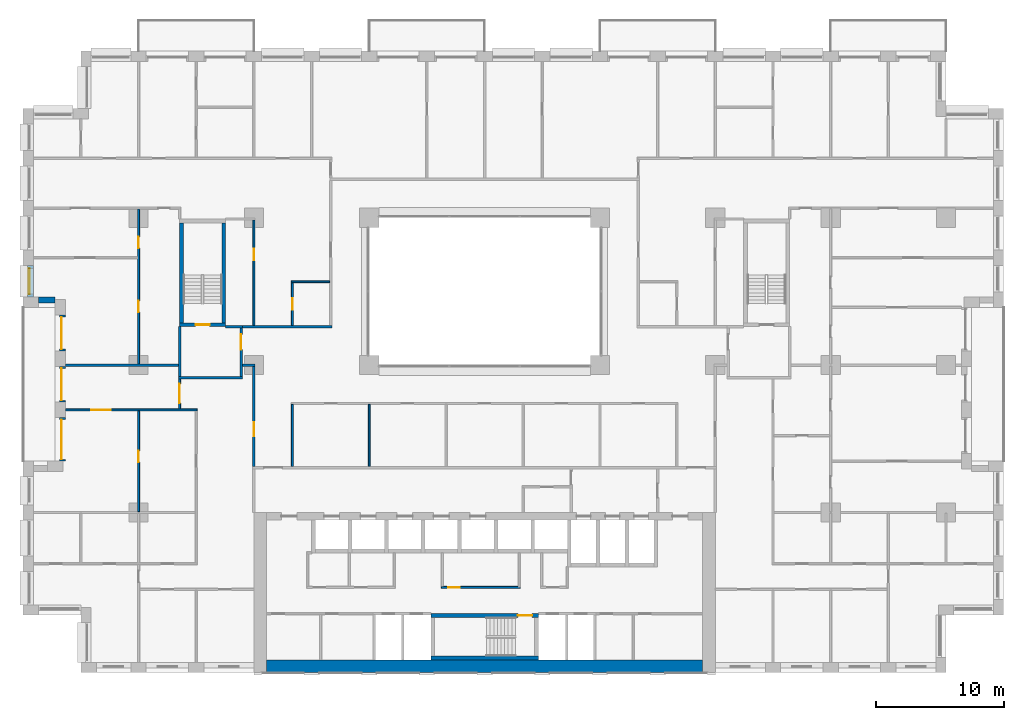
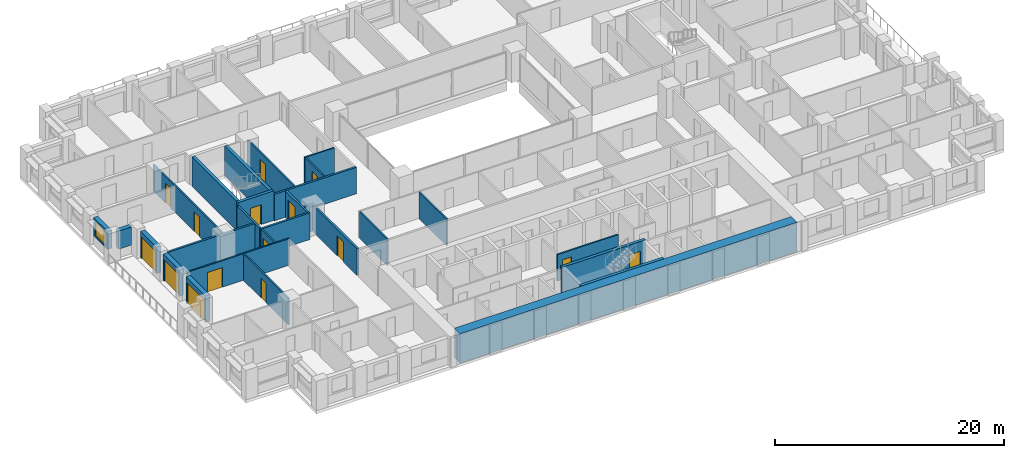
# One storey, part 10 of 19: 29 walls, 15 doors, 1 window, 16 openings.
"""IFC4 building model written with IfcOpenShell, lengths in metres."""

from ifc_helpers import new_model, si_unit, direction, frame, frame_2d, origin, place, context, subcontext, project, spatial, rectangle, extrude, material, layer, layer_set, type_object, element, fill, save


model = new_model("IFC4")

# Units and contexts
model_context = context("Model", 3, precision=1e-05, world=origin(), true_north=direction((0.0, 1.0)))
body_context = subcontext(model_context, "Body", "Model", "MODEL_VIEW")
ifc_project = project(units=[si_unit("LENGTHUNIT", "METRE"), si_unit("AREAUNIT", "SQUARE_METRE"), si_unit("VOLUMEUNIT", "CUBIC_METRE"), si_unit("PLANEANGLEUNIT", "RADIAN"), si_unit("MASSUNIT", "GRAM", prefix="KILO")], contexts=[model_context])

# Site, building, storey
site_placement = place(None, origin())
site = spatial("IfcSite", under=ifc_project, at=site_placement, CompositionType="ELEMENT")
building_placement = place(site_placement, origin())
building = spatial("IfcBuilding", under=site, at=building_placement, Name="Brigalow Station Residences", CompositionType="ELEMENT")
storey_placement = place(building_placement, frame((0.0, 0.0, 22.64990234375)))
storey = spatial("IfcBuildingStorey", under=building, at=storey_placement, Name="L05", CompositionType="ELEMENT", Elevation=22.64990234375)

# Wall, opening, window
ifc_material_1 = material(Name="Clay brick masonry", Category="masonry")
ifc_layer_1 = layer(ifc_material_1, 0.449951171875)
ifc_layer_set_1 = layer_set([ifc_layer_1], Name="BRICK INFILL WALL 450")
wall_type_1 = type_object("IfcWallType", Name="BRICK INFILL WALL 450", PredefinedType="SOLIDWALL", material=ifc_layer_set_1)
wall_1_placement = place(storey_placement, frame((0.574951171875, 31.77490234375, 0.900146484375), z_axis=(0.0, 0.0, 1.0), x_axis=(0.0, -1.0, 0.0)))
wall_1 = element("IfcWall", 1, at=wall_1_placement, inside=storey, type_object=wall_type_1, Name="L05/ewall/W-L05-45", PredefinedType="SOLIDWALL", context=body_context, shape_type="SweptSolid", body=[
    extrude(rectangle(XDim=2.474853515625, YDim=0.449951171875, at=frame_2d((1.2373046875, 0.0))), origin(), (0.0, 0.0, 1.0), 1.929931640625),
])
opening_1_placement = place(wall_1_placement, frame((0.237548828125, 0.0, 0.14990234375)))
opening_1 = element("IfcOpeningElement", 2, at=opening_1_placement, cuts=wall_1, Name="Opening WT-7", PredefinedType="OPENING", context=body_context, shape_type="SweptSolid", body=[
    extrude(rectangle(XDim=2.0, YDim=1.5, at=frame_2d((1.0, 0.75))), frame((0.0, 0.23486328125, 0.0), z_axis=(0.0, -1.0, 0.0), x_axis=(1.0, 0.0, 0.0)), (0.0, 0.0, 1.0), 0.469970703125),
])
ifc_material_2 = material(Name="Anodised aluminium frame with double glazing", Category="aluminium")
window_type = type_object("IfcWindowType", Name="WINDOW 2000x1500", PartitioningType="SINGLE_PANEL", PredefinedType="WINDOW", material=ifc_material_2)
window_placement = place(opening_1_placement, origin())
window = element("IfcWindow", 3, at=window_placement, inside=storey, type_object=window_type, Name="L05/window/W-L05-45", OverallHeight=1.5, OverallWidth=2.0, PartitioningType="SINGLE_PANEL", PredefinedType="WINDOW", context=body_context, shape_type="SweptSolid", body=[
    extrude(rectangle(XDim=2.0, YDim=1.5, at=frame_2d((1.0, 0.75))), frame((0.0, -0.06494140625, 0.0), z_axis=(0.0, -1.0, 0.0), x_axis=(1.0, 0.0, 0.0)), (0.0, 0.0, 1.0), 0.06005859375),
])
fill(opening_1, window)

# Wall
wall_2_placement = place(storey_placement, frame((1.199951171875, 29.074951171875, 0.900146484375), z_axis=(0.0, 0.0, 1.0), x_axis=(1.0, 0.0, 0.0)))
element("IfcWall", 4, at=wall_2_placement, inside=storey, type_object=wall_type_1, Name="L05/ewall/W-L05-46", PredefinedType="SOLIDWALL", context=body_context, shape_type="SweptSolid", body=[
    extrude(rectangle(XDim=1.300048828125, YDim=0.449951171875, at=frame_2d((0.64990234375, 0.0))), origin(), (0.0, 0.0, 1.0), 1.929931640625),
])

# Wall, opening, door
wall_3_placement = place(storey_placement, frame((3.074951171875, 27.89990234375, 0.0), z_axis=(0.0, 0.0, 1.0), x_axis=(0.0, -1.0, 0.0)))
wall_3 = element("IfcWall", 5, at=wall_3_placement, inside=storey, type_object=wall_type_1, Name="L05/ewall/W-L05-47", PredefinedType="SOLIDWALL", context=body_context, shape_type="SweptSolid", body=[
    extrude(rectangle(XDim=2.7998046875, YDim=0.449951171875, at=frame_2d((1.39990234375, 0.0))), origin(), (0.0, 0.0, 1.0), 2.830078125),
])
opening_2_placement = place(wall_3_placement, frame((0.14990234375, 0.0, 0.0)))
opening_2 = element("IfcOpeningElement", 6, at=opening_2_placement, cuts=wall_3, Name="Opening D-B2500", PredefinedType="OPENING", context=body_context, shape_type="SweptSolid", body=[
    extrude(rectangle(XDim=2.5, YDim=2.300048828125, at=frame_2d((1.25, 1.14990234375))), frame((0.0, 0.23486328125, 0.0), z_axis=(0.0, -1.0, 0.0), x_axis=(1.0, 0.0, 0.0)), (0.0, 0.0, 1.0), 0.469970703125),
])
ifc_material_3 = material(Name="Anodised aluminium frame with double glazing", Category="aluminium")
door_type_1 = type_object("IfcDoorType", Name="BALCONY SLIDING DOOR 2500x2300", OperationType="SLIDING_TO_LEFT", PredefinedType="DOOR", material=ifc_material_3)
door_1_placement = place(opening_2_placement, origin())
door_1 = element("IfcDoor", 7, at=door_1_placement, inside=storey, type_object=door_type_1, Name="L05/balcony-door/W-L05-47", OperationType="SLIDING_TO_LEFT", OverallHeight=2.300048828125, OverallWidth=2.5, PredefinedType="DOOR", context=body_context, shape_type="SweptSolid", body=[
    extrude(rectangle(XDim=2.5, YDim=2.300048828125, at=frame_2d((1.25, 1.14990234375))), frame((0.0, -0.06982421875, 0.0), z_axis=(0.0, -1.0, 0.0), x_axis=(1.0, 0.0, 0.0)), (0.0, 0.0, 1.0), 0.050048828125),
])
fill(opening_2, door_1)

wall_4_placement = place(storey_placement, frame((3.074951171875, 23.89990234375, 0.0), z_axis=(0.0, 0.0, 1.0), x_axis=(0.0, -1.0, 0.0)))
wall_4 = element("IfcWall", 8, at=wall_4_placement, inside=storey, type_object=wall_type_1, Name="L05/ewall/W-L05-48", PredefinedType="SOLIDWALL", context=body_context, shape_type="SweptSolid", body=[
    extrude(rectangle(XDim=2.7998046875, YDim=0.449951171875, at=frame_2d((1.39990234375, 0.0))), origin(), (0.0, 0.0, 1.0), 2.830078125),
])
opening_3_placement = place(wall_4_placement, frame((0.14990234375, 0.0, 0.0)))
opening_3 = element("IfcOpeningElement", 9, at=opening_3_placement, cuts=wall_4, Name="Opening D-B2500", PredefinedType="OPENING", context=body_context, shape_type="SweptSolid", body=[
    extrude(rectangle(XDim=2.5, YDim=2.300048828125, at=frame_2d((1.25, 1.14990234375))), frame((0.0, 0.23486328125, 0.0), z_axis=(0.0, -1.0, 0.0), x_axis=(1.0, 0.0, 0.0)), (0.0, 0.0, 1.0), 0.469970703125),
])
door_2_placement = place(opening_3_placement, origin())
door_2 = element("IfcDoor", 10, at=door_2_placement, inside=storey, type_object=door_type_1, Name="L05/balcony-door/W-L05-48", OperationType="SLIDING_TO_LEFT", OverallHeight=2.300048828125, OverallWidth=2.5, PredefinedType="DOOR", context=body_context, shape_type="SweptSolid", body=[
    extrude(rectangle(XDim=2.5, YDim=2.300048828125, at=frame_2d((1.25, 1.14990234375))), frame((0.0, -0.06982421875, 0.0), z_axis=(0.0, -1.0, 0.0), x_axis=(1.0, 0.0, 0.0)), (0.0, 0.0, 1.0), 0.050048828125),
])
fill(opening_3, door_2)

wall_5_placement = place(storey_placement, frame((3.074951171875, 19.89990234375, 0.0), z_axis=(0.0, 0.0, 1.0), x_axis=(0.0, -1.0, 0.0)))
wall_5 = element("IfcWall", 11, at=wall_5_placement, inside=storey, type_object=wall_type_1, Name="L05/ewall/W-L05-49", PredefinedType="SOLIDWALL", context=body_context, shape_type="SweptSolid", body=[
    extrude(rectangle(XDim=3.39990234375, YDim=0.449951171875, at=frame_2d((1.699951171875, 0.0))), origin(), (0.0, 0.0, 1.0), 2.830078125),
])
opening_4_placement = place(wall_5_placement, frame((0.14990234375, 0.0, 0.0)))
opening_4 = element("IfcOpeningElement", 12, at=opening_4_placement, cuts=wall_5, Name="Opening D-B3100", PredefinedType="OPENING", context=body_context, shape_type="SweptSolid", body=[
    extrude(rectangle(XDim=3.10009765625, YDim=2.300048828125, at=frame_2d((1.550048828125, 1.14990234375))), frame((0.0, 0.23486328125, 0.0), z_axis=(0.0, -1.0, 0.0), x_axis=(1.0, 0.0, 0.0)), (0.0, 0.0, 1.0), 0.469970703125),
])
ifc_material_4 = material(Name="Anodised aluminium frame with double glazing", Category="aluminium")
door_type_2 = type_object("IfcDoorType", Name="BALCONY SLIDING DOOR 3100x2300", OperationType="SLIDING_TO_LEFT", PredefinedType="DOOR", material=ifc_material_4)
door_3_placement = place(opening_4_placement, origin())
door_3 = element("IfcDoor", 13, at=door_3_placement, inside=storey, type_object=door_type_2, Name="L05/balcony-door/W-L05-49", OperationType="SLIDING_TO_LEFT", OverallHeight=2.300048828125, OverallWidth=3.10009765625, PredefinedType="DOOR", context=body_context, shape_type="SweptSolid", body=[
    extrude(rectangle(XDim=3.10009765625, YDim=2.300048828125, at=frame_2d((1.550048828125, 1.14990234375))), frame((0.0, -0.06982421875, 0.0), z_axis=(0.0, -1.0, 0.0), x_axis=(1.0, 0.0, 0.0)), (0.0, 0.0, 1.0), 0.050048828125),
])
fill(opening_4, door_3)

# Walls
ifc_material_5 = material(Name="Concrete C80", Category="concrete")
ifc_layer_2 = layer(ifc_material_5, 1.0)
ifc_layer_set_2 = layer_set([ifc_layer_2], Name="CORE SHEAR WALL 1000 C80")
wall_type_2 = type_object("IfcWallType", Name="CORE SHEAR WALL 1000 C80", PredefinedType="SHEAR", material=ifc_layer_set_2)
wall_6_placement = place(storey_placement, frame((19.0, 0.5, 0.0), z_axis=(0.0, 0.0, 1.0), x_axis=(1.0, 0.0, 0.0)))
element("IfcWall", 14, at=wall_6_placement, inside=storey, type_object=wall_type_2, Name="CORE WALL OUT-S L05", PredefinedType="SHEAR", context=body_context, shape_type="SweptSolid", body=[
    extrude(rectangle(XDim=34.0, YDim=1.0, at=frame_2d((17.0, 0.0))), origin(), (0.0, 0.0, 1.0), 3.150146484375),
])
ifc_material_6 = material(Name="Concrete C80", Category="concrete")
ifc_layer_3 = layer(ifc_material_6, 0.300048828125)
ifc_layer_set_3 = layer_set([ifc_layer_3], Name="CORE SHEAR WALL 300 C80")
wall_type_3 = type_object("IfcWallType", Name="CORE SHEAR WALL 300 C80", PredefinedType="SHEAR", material=ifc_layer_set_3)
wall_7_placement = place(storey_placement, frame((31.800048828125, 1.14990234375, 0.0), z_axis=(0.0, 0.0, 1.0), x_axis=(1.0, 0.0, 0.0)))
element("IfcWall", 15, at=wall_7_placement, inside=storey, type_object=wall_type_3, Name="CORE WALL ST-S2-S L05", PredefinedType="SHEAR", context=body_context, shape_type="SweptSolid", body=[
    extrude(rectangle(XDim=8.39990234375, YDim=0.300048828125, at=frame_2d((4.199951171875, 0.0))), origin(), (0.0, 0.0, 1.0), 3.150146484375),
])

# Wall, opening, door
wall_8_placement = place(storey_placement, frame((31.800048828125, 4.449951171875, 0.0), z_axis=(0.0, 0.0, 1.0), x_axis=(1.0, 0.0, 0.0)))
wall_8 = element("IfcWall", 16, at=wall_8_placement, inside=storey, type_object=wall_type_3, Name="CORE WALL ST-S2-N L05", PredefinedType="SHEAR", context=body_context, shape_type="SweptSolid", body=[
    extrude(rectangle(XDim=8.39990234375, YDim=0.300048828125, at=frame_2d((4.199951171875, 0.0))), origin(), (0.0, 0.0, 1.0), 3.150146484375),
])
opening_5_placement = place(wall_8_placement, frame((6.800048828125, 0.0, 0.0)))
opening_5 = element("IfcOpeningElement", 17, at=opening_5_placement, cuts=wall_8, Name="Opening D-5001", PredefinedType="OPENING", context=body_context, shape_type="SweptSolid", body=[
    extrude(rectangle(XDim=1.10009765625, YDim=2.10009765625, at=frame_2d((0.550048828125, 1.050048828125))), frame((0.0, 0.16015625, 0.0), z_axis=(0.0, -1.0, 0.0), x_axis=(1.0, 0.0, 0.0)), (0.0, 0.0, 1.0), 0.320068359375),
])
ifc_material_7 = material(Name="Steel fire door leaf in steel frame", Category="steel")
door_type_3 = type_object("IfcDoorType", Name="STAIR DOOR 1100 x 2100 FD60S", OperationType="SINGLE_SWING_LEFT", PredefinedType="DOOR", material=ifc_material_7)
door_4_placement = place(opening_5_placement, frame((1.10009765625, 0.0, 0.0), z_axis=(0.0, 0.0, 1.0), x_axis=(-1.0, 0.0, 0.0)))
door_4 = element("IfcDoor", 18, at=door_4_placement, inside=storey, type_object=door_type_3, Name="D-5001", OperationType="SINGLE_SWING_LEFT", OverallHeight=2.10009765625, OverallWidth=1.10009765625, PredefinedType="DOOR", context=body_context, shape_type="SweptSolid", body=[
    extrude(rectangle(XDim=1.10009765625, YDim=2.10009765625, at=frame_2d((0.550048828125, 1.050048828125))), frame((0.0, 0.02490234375, 0.0), z_axis=(0.0, -1.0, 0.0), x_axis=(1.0, 0.0, 0.0)), (0.0, 0.0, 1.0), 0.050048828125),
])
fill(opening_5, door_4)

wall_9_placement = place(storey_placement, frame((12.199951171875, 27.14990234375, 0.0), z_axis=(0.0, 0.0, 1.0), x_axis=(1.0, 0.0, 0.0)))
wall_9 = element("IfcWall", 19, at=wall_9_placement, inside=storey, type_object=wall_type_3, Name="CORE WALL ST-S1-S L05", PredefinedType="SHEAR", context=body_context, shape_type="SweptSolid", body=[
    extrude(rectangle(XDim=3.60009765625, YDim=0.300048828125, at=frame_2d((1.800048828125, 0.0))), origin(), (0.0, 0.0, 1.0), 3.150146484375),
])
opening_6_placement = place(wall_9_placement, frame((1.25, 0.0, 0.0)))
opening_6 = element("IfcOpeningElement", 20, at=opening_6_placement, cuts=wall_9, Name="Opening D-5015", PredefinedType="OPENING", context=body_context, shape_type="SweptSolid", body=[
    extrude(rectangle(XDim=1.10009765625, YDim=2.10009765625, at=frame_2d((0.550048828125, 1.050048828125))), frame((0.0, 0.16015625, 0.0), z_axis=(0.0, -1.0, 0.0), x_axis=(1.0, 0.0, 0.0)), (0.0, 0.0, 1.0), 0.320068359375),
])
door_5_placement = place(opening_6_placement, origin())
door_5 = element("IfcDoor", 21, at=door_5_placement, inside=storey, type_object=door_type_3, Name="D-5015", OperationType="SINGLE_SWING_LEFT", OverallHeight=2.10009765625, OverallWidth=1.10009765625, PredefinedType="DOOR", context=body_context, shape_type="SweptSolid", body=[
    extrude(rectangle(XDim=1.10009765625, YDim=2.10009765625, at=frame_2d((0.550048828125, 1.050048828125))), frame((0.0, 0.02490234375, 0.0), z_axis=(0.0, -1.0, 0.0), x_axis=(1.0, 0.0, 0.0)), (0.0, 0.0, 1.0), 0.050048828125),
])
fill(opening_6, door_5)

# Walls
for number, where, z_axis, x_axis, name in (
    (22, (12.35009765625, 27.300048828125, 0.0), (0.0, 0.0, 1.0), (0.0, 1.0, 0.0), "CORE WALL ST-S1-W L05"),
    (23, (15.64990234375, 27.300048828125, 0.0), (0.0, 0.0, 1.0), (0.0, 1.0, 0.0), "CORE WALL ST-S1-E L05"),
):
    element("IfcWall", number, at=place(storey_placement, frame(where, z_axis=z_axis, x_axis=x_axis)), inside=storey, type_object=wall_type_3, Name=name, PredefinedType="SHEAR", context=body_context, shape_type="SweptSolid", body=[
        extrude(rectangle(XDim=7.800048828125, YDim=0.300048828125, at=frame_2d((3.89990234375, 0.0))), origin(), (0.0, 0.0, 1.0), 3.150146484375),
    ])
ifc_material_8 = material(Name="Concrete blockwork", Category="masonry")
ifc_layer_4 = layer(ifc_material_8, 0.199951171875)
ifc_layer_set_4 = layer_set([ifc_layer_4], Name="FIRE RATED CORE PARTITION 200")
wall_type_4 = type_object("IfcWallType", Name="FIRE RATED CORE PARTITION 200", PredefinedType="PARTITIONING", material=ifc_layer_set_4)
wall_10_placement = place(storey_placement, frame((12.10009765625, 23.0, 0.0), z_axis=(0.0, 0.0, 1.0), x_axis=(1.0, 0.0, 0.0)))
element("IfcWall", 24, at=wall_10_placement, inside=storey, type_object=wall_type_4, Name="PW-5023", PredefinedType="PARTITIONING", context=body_context, shape_type="SweptSolid", body=[
    extrude(rectangle(XDim=5.0, YDim=0.199951171875, at=frame_2d((2.5, 0.0))), origin(), (0.0, 0.0, 1.0), 2.830078125),
])
wall_11_placement = place(storey_placement, frame((15.800048828125, 27.0, 0.0), z_axis=(0.0, 0.0, 1.0), x_axis=(1.0, 0.0, 0.0)))
element("IfcWall", 25, at=wall_11_placement, inside=storey, type_object=wall_type_4, Name="PW-5025", PredefinedType="PARTITIONING", context=body_context, shape_type="SweptSolid", body=[
    extrude(rectangle(XDim=1.300048828125, YDim=0.199951171875, at=frame_2d((0.64990234375, 0.0))), origin(), (0.0, 0.0, 1.0), 2.830078125),
])
wall_12_placement = place(storey_placement, frame((12.199951171875, 23.10009765625, 0.0), z_axis=(0.0, 0.0, 1.0), x_axis=(0.0, 1.0, 0.0)))
element("IfcWall", 26, at=wall_12_placement, inside=storey, type_object=wall_type_4, Name="PW-5034", PredefinedType="PARTITIONING", context=body_context, shape_type="SweptSolid", body=[
    extrude(rectangle(XDim=3.89990234375, YDim=0.199951171875, at=frame_2d((1.949951171875, 0.0))), origin(), (0.0, 0.0, 1.0), 2.830078125),
])

# Wall, opening, door
wall_13_placement = place(storey_placement, frame((17.0, 23.10009765625, 0.0), z_axis=(0.0, 0.0, 1.0), x_axis=(0.0, 1.0, 0.0)))
wall_13 = element("IfcWall", 27, at=wall_13_placement, inside=storey, type_object=wall_type_4, Name="PW-5035", PredefinedType="PARTITIONING", context=body_context, shape_type="SweptSolid", body=[
    extrude(rectangle(XDim=3.7998046875, YDim=0.199951171875, at=frame_2d((1.89990234375, 0.0))), origin(), (0.0, 0.0, 1.0), 2.830078125),
])
opening_7_placement = place(wall_13_placement, frame((2.10009765625, 0.0, 0.0)))
opening_7 = element("IfcOpeningElement", 28, at=opening_7_placement, cuts=wall_13, Name="Opening D-5016", PredefinedType="OPENING", context=body_context, shape_type="SweptSolid", body=[
    extrude(rectangle(XDim=1.199951171875, YDim=2.10009765625, at=frame_2d((0.60009765625, 1.050048828125))), frame((0.0, 0.10986328125, 0.0), z_axis=(0.0, -1.0, 0.0), x_axis=(1.0, 0.0, 0.0)), (0.0, 0.0, 1.0), 0.219970703125),
])
ifc_material_9 = material(Name="Steel fire door leaf in steel frame", Category="steel")
door_type_4 = type_object("IfcDoorType", Name="STAIR LOBBY DOOR 1200 x 2100 FD60S", OperationType="SINGLE_SWING_LEFT", PredefinedType="DOOR", material=ifc_material_9)
door_6_placement = place(opening_7_placement, origin())
door_6 = element("IfcDoor", 29, at=door_6_placement, inside=storey, type_object=door_type_4, Name="D-5016", OperationType="SINGLE_SWING_RIGHT", OverallHeight=2.10009765625, OverallWidth=1.199951171875, PredefinedType="DOOR", context=body_context, shape_type="SweptSolid", body=[
    extrude(rectangle(XDim=1.199951171875, YDim=2.10009765625, at=frame_2d((0.60009765625, 1.050048828125))), frame((0.0, 0.02490234375, 0.0), z_axis=(0.0, -1.0, 0.0), x_axis=(1.0, 0.0, 0.0)), (0.0, 0.0, 1.0), 0.050048828125),
])
fill(opening_7, door_6)

ifc_material_10 = material(Name="Plasterboard on steel stud partition", Category="steel")
ifc_layer_5 = layer(ifc_material_10, 0.14990234375)
ifc_layer_set_5 = layer_set([ifc_layer_5], Name="FLAT PARTITION 150")
wall_type_5 = type_object("IfcWallType", Name="FLAT PARTITION 150", PredefinedType="PARTITIONING", material=ifc_layer_set_5)
wall_14_placement = place(storey_placement, frame((3.300048828125, 20.5, 0.0), z_axis=(0.0, 0.0, 1.0), x_axis=(1.0, 0.0, 0.0)))
wall_14 = element("IfcWall", 30, at=wall_14_placement, inside=storey, type_object=wall_type_5, Name="PW-1A15", PredefinedType="PARTITIONING", context=body_context, shape_type="SweptSolid", body=[
    extrude(rectangle(XDim=10.27490234375, YDim=0.14990234375, at=frame_2d((5.137451171875, 0.0))), origin(), (0.0, 0.0, 1.0), 2.830078125),
])
opening_8_placement = place(wall_14_placement, frame((2.02490234375, 0.0, 0.0)))
opening_8 = element("IfcOpeningElement", 31, at=opening_8_placement, cuts=wall_14, Name="Opening D-1A12", PredefinedType="OPENING", context=body_context, shape_type="SweptSolid", body=[
    extrude(rectangle(XDim=1.5, YDim=2.10009765625, at=frame_2d((0.75, 1.050048828125))), frame((0.0, 0.0849609375, 0.0), z_axis=(0.0, -1.0, 0.0), x_axis=(1.0, 0.0, 0.0)), (0.0, 0.0, 1.0), 0.169921875),
])
ifc_material_11 = material(Name="Solid-core timber door leaf", Category="wood")
door_type_5 = type_object("IfcDoorType", Name="INTERNAL DOUBLE DOOR 1500 x 2100", OperationType="DOUBLE_DOOR_SINGLE_SWING", PredefinedType="DOOR", material=ifc_material_11)
door_7_placement = place(opening_8_placement, origin())
door_7 = element("IfcDoor", 32, at=door_7_placement, inside=storey, type_object=door_type_5, Name="D-1A12", OperationType="DOUBLE_DOOR_SINGLE_SWING", OverallHeight=2.10009765625, OverallWidth=1.5, PredefinedType="DOOR", context=body_context, shape_type="SweptSolid", body=[
    extrude(rectangle(XDim=1.5, YDim=2.10009765625, at=frame_2d((0.75, 1.050048828125))), frame((0.0, 0.02490234375, 0.0), z_axis=(0.0, -1.0, 0.0), x_axis=(1.0, 0.0, 0.0)), (0.0, 0.0, 1.0), 0.050048828125),
])
fill(opening_8, door_7)

# Wall
wall_15_placement = place(storey_placement, frame((20.925048828125, 30.5, 0.0), z_axis=(0.0, 0.0, 1.0), x_axis=(1.0, 0.0, 0.0)))
element("IfcWall", 33, at=wall_15_placement, inside=storey, type_object=wall_type_5, Name="PW-1A24", PredefinedType="PARTITIONING", context=body_context, shape_type="SweptSolid", body=[
    extrude(rectangle(XDim=2.974853515625, YDim=0.14990234375, at=frame_2d((1.4873046875, 0.0))), origin(), (0.0, 0.0, 1.0), 2.830078125),
])

# Wall, opening, door
wall_16_placement = place(storey_placement, frame((18.0, 27.10009765625, 0.0), z_axis=(0.0, 0.0, 1.0), x_axis=(0.0, 1.0, 0.0)))
wall_16 = element("IfcWall", 34, at=wall_16_placement, inside=storey, type_object=wall_type_5, Name="PW-1A32", PredefinedType="PARTITIONING", context=body_context, shape_type="SweptSolid", body=[
    extrude(rectangle(XDim=8.224853515625, YDim=0.14990234375, at=frame_2d((4.1123046875, 0.0))), origin(), (0.0, 0.0, 1.0), 2.830078125),
])
opening_9_placement = place(wall_16_placement, frame((5.074951171875, 0.0, 0.0)))
opening_9 = element("IfcOpeningElement", 35, at=opening_9_placement, cuts=wall_16, Name="Opening D-1A19", PredefinedType="OPENING", context=body_context, shape_type="SweptSolid", body=[
    extrude(rectangle(XDim=0.89990234375, YDim=2.10009765625, at=frame_2d((0.449951171875, 1.050048828125))), frame((0.0, 0.0849609375, 0.0), z_axis=(0.0, -1.0, 0.0), x_axis=(1.0, 0.0, 0.0)), (0.0, 0.0, 1.0), 0.169921875),
])
ifc_material_12 = material(Name="Solid-core timber door leaf", Category="wood")
door_type_6 = type_object("IfcDoorType", Name="INTERNAL DOOR 900 x 2100", OperationType="SINGLE_SWING_LEFT", PredefinedType="DOOR", material=ifc_material_12)
door_8_placement = place(opening_9_placement, origin())
door_8 = element("IfcDoor", 36, at=door_8_placement, inside=storey, type_object=door_type_6, Name="D-1A19", OperationType="SINGLE_SWING_RIGHT", OverallHeight=2.10009765625, OverallWidth=0.89990234375, PredefinedType="DOOR", context=body_context, shape_type="SweptSolid", body=[
    extrude(rectangle(XDim=0.89990234375, YDim=2.10009765625, at=frame_2d((0.449951171875, 1.050048828125))), frame((0.0, 0.02490234375, 0.0), z_axis=(0.0, -1.0, 0.0), x_axis=(1.0, 0.0, 0.0)), (0.0, 0.0, 1.0), 0.050048828125),
])
fill(opening_9, door_8)

# Wall
wall_17_placement = place(storey_placement, frame((21.0, 16.10009765625, 0.0), z_axis=(0.0, 0.0, 1.0), x_axis=(0.0, 1.0, 0.0)))
element("IfcWall", 37, at=wall_17_placement, inside=storey, type_object=wall_type_5, Name="PW-1A38", PredefinedType="PARTITIONING", context=body_context, shape_type="SweptSolid", body=[
    extrude(rectangle(XDim=4.824951171875, YDim=0.14990234375, at=frame_2d((2.41259765625, 0.0))), origin(), (0.0, 0.0, 1.0), 2.830078125),
])

# Wall, opening, door
wall_18_placement = place(storey_placement, frame((21.0, 27.10009765625, 0.0), z_axis=(0.0, 0.0, 1.0), x_axis=(0.0, 1.0, 0.0)))
wall_18 = element("IfcWall", 38, at=wall_18_placement, inside=storey, type_object=wall_type_5, Name="PW-1A39", PredefinedType="PARTITIONING", context=body_context, shape_type="SweptSolid", body=[
    extrude(rectangle(XDim=3.324951171875, YDim=0.14990234375, at=frame_2d((1.66259765625, 0.0))), origin(), (0.0, 0.0, 1.0), 2.830078125),
])
opening_10_placement = place(wall_18_placement, frame((1.199951171875, 0.0, 0.0)))
opening_10 = element("IfcOpeningElement", 39, at=opening_10_placement, cuts=wall_18, Name="Opening D-1A20", PredefinedType="OPENING", context=body_context, shape_type="SweptSolid", body=[
    extrude(rectangle(XDim=0.89990234375, YDim=2.10009765625, at=frame_2d((0.449951171875, 1.050048828125))), frame((0.0, 0.0849609375, 0.0), z_axis=(0.0, -1.0, 0.0), x_axis=(1.0, 0.0, 0.0)), (0.0, 0.0, 1.0), 0.169921875),
])
door_9_placement = place(opening_10_placement, frame((0.89990234375, 0.0, 0.0), z_axis=(0.0, 0.0, 1.0), x_axis=(-1.0, 0.0, 0.0)))
door_9 = element("IfcDoor", 40, at=door_9_placement, inside=storey, type_object=door_type_6, Name="D-1A20", OperationType="SINGLE_SWING_RIGHT", OverallHeight=2.10009765625, OverallWidth=0.89990234375, PredefinedType="DOOR", context=body_context, shape_type="SweptSolid", body=[
    extrude(rectangle(XDim=0.89990234375, YDim=2.10009765625, at=frame_2d((0.449951171875, 1.050048828125))), frame((0.0, 0.02490234375, 0.0), z_axis=(0.0, -1.0, 0.0), x_axis=(1.0, 0.0, 0.0)), (0.0, 0.0, 1.0), 0.050048828125),
])
fill(opening_10, door_9)

wall_19_placement = place(storey_placement, frame((9.0, 12.574951171875, 0.0), z_axis=(0.0, 0.0, 1.0), x_axis=(0.0, 1.0, 0.0)))
wall_19 = element("IfcWall", 41, at=wall_19_placement, inside=storey, type_object=wall_type_5, Name="PW-1A48", PredefinedType="PARTITIONING", context=body_context, shape_type="SweptSolid", body=[
    extrude(rectangle(XDim=7.85009765625, YDim=0.14990234375, at=frame_2d((3.925048828125, 0.0))), origin(), (0.0, 0.0, 1.0), 2.830078125),
])
opening_11_placement = place(wall_19_placement, frame((3.85009765625, 0.0, 0.0)))
opening_11 = element("IfcOpeningElement", 42, at=opening_11_placement, cuts=wall_19, Name="Opening D-1A10", PredefinedType="OPENING", context=body_context, shape_type="SweptSolid", body=[
    extrude(rectangle(XDim=0.89990234375, YDim=2.10009765625, at=frame_2d((0.449951171875, 1.050048828125))), frame((0.0, 0.0849609375, 0.0), z_axis=(0.0, -1.0, 0.0), x_axis=(1.0, 0.0, 0.0)), (0.0, 0.0, 1.0), 0.169921875),
])
door_10_placement = place(opening_11_placement, frame((0.89990234375, 0.0, 0.0), z_axis=(0.0, 0.0, 1.0), x_axis=(-1.0, 0.0, 0.0)))
door_10 = element("IfcDoor", 43, at=door_10_placement, inside=storey, type_object=door_type_6, Name="D-1A10", OperationType="SINGLE_SWING_LEFT", OverallHeight=2.10009765625, OverallWidth=0.89990234375, PredefinedType="DOOR", context=body_context, shape_type="SweptSolid", body=[
    extrude(rectangle(XDim=0.89990234375, YDim=2.10009765625, at=frame_2d((0.449951171875, 1.050048828125))), frame((0.0, 0.02490234375, 0.0), z_axis=(0.0, -1.0, 0.0), x_axis=(1.0, 0.0, 0.0)), (0.0, 0.0, 1.0), 0.050048828125),
])
fill(opening_11, door_10)

# Wall, openings, doors
wall_20_placement = place(storey_placement, frame((9.0, 24.10009765625, 0.0), z_axis=(0.0, 0.0, 1.0), x_axis=(0.0, 1.0, 0.0)))
wall_20 = element("IfcWall", 44, at=wall_20_placement, inside=storey, type_object=wall_type_5, Name="PW-1A49", PredefinedType="PARTITIONING", context=body_context, shape_type="SweptSolid", body=[
    extrude(rectangle(XDim=12.074951171875, YDim=0.14990234375, at=frame_2d((6.03759765625, 0.0))), origin(), (0.0, 0.0, 1.0), 2.830078125),
])
opening_12_placement = place(wall_20_placement, frame((4.011962890625, 0.0, 0.0)))
opening_12 = element("IfcOpeningElement", 45, at=opening_12_placement, cuts=wall_20, Name="Opening D-1A16", PredefinedType="OPENING", context=body_context, shape_type="SweptSolid", body=[
    extrude(rectangle(XDim=0.89990234375, YDim=2.10009765625, at=frame_2d((0.449951171875, 1.050048828125))), frame((0.0, 0.0849609375, 0.0), z_axis=(0.0, -1.0, 0.0), x_axis=(1.0, 0.0, 0.0)), (0.0, 0.0, 1.0), 0.169921875),
])
opening_13_placement = place(wall_20_placement, frame((9.011962890625, 0.0, 0.0)))
opening_13 = element("IfcOpeningElement", 46, at=opening_13_placement, cuts=wall_20, Name="Opening D-1A17", PredefinedType="OPENING", context=body_context, shape_type="SweptSolid", body=[
    extrude(rectangle(XDim=0.89990234375, YDim=2.10009765625, at=frame_2d((0.449951171875, 1.050048828125))), frame((0.0, 0.0849609375, 0.0), z_axis=(0.0, -1.0, 0.0), x_axis=(1.0, 0.0, 0.0)), (0.0, 0.0, 1.0), 0.169921875),
])
door_11_placement = place(opening_12_placement, frame((0.89990234375, 0.0, 0.0), z_axis=(0.0, 0.0, 1.0), x_axis=(-1.0, 0.0, 0.0)))
door_11 = element("IfcDoor", 47, at=door_11_placement, inside=storey, type_object=door_type_6, Name="D-1A16", OperationType="SINGLE_SWING_RIGHT", OverallHeight=2.10009765625, OverallWidth=0.89990234375, PredefinedType="DOOR", context=body_context, shape_type="SweptSolid", body=[
    extrude(rectangle(XDim=0.89990234375, YDim=2.10009765625, at=frame_2d((0.449951171875, 1.050048828125))), frame((0.0, 0.02490234375, 0.0), z_axis=(0.0, -1.0, 0.0), x_axis=(1.0, 0.0, 0.0)), (0.0, 0.0, 1.0), 0.050048828125),
])
fill(opening_12, door_11)
door_12_placement = place(opening_13_placement, origin())
door_12 = element("IfcDoor", 48, at=door_12_placement, inside=storey, type_object=door_type_6, Name="D-1A17", OperationType="SINGLE_SWING_LEFT", OverallHeight=2.10009765625, OverallWidth=0.89990234375, PredefinedType="DOOR", context=body_context, shape_type="SweptSolid", body=[
    extrude(rectangle(XDim=0.89990234375, YDim=2.10009765625, at=frame_2d((0.449951171875, 1.050048828125))), frame((0.0, 0.02490234375, 0.0), z_axis=(0.0, -1.0, 0.0), x_axis=(1.0, 0.0, 0.0)), (0.0, 0.0, 1.0), 0.050048828125),
])
fill(opening_13, door_12)

# Wall, opening, door
wall_21_placement = place(storey_placement, frame((12.199951171875, 20.574951171875, 0.0), z_axis=(0.0, 0.0, 1.0), x_axis=(0.0, 1.0, 0.0)))
wall_21 = element("IfcWall", 49, at=wall_21_placement, inside=storey, type_object=wall_type_5, Name="PW-1A56", PredefinedType="PARTITIONING", context=body_context, shape_type="SweptSolid", body=[
    extrude(rectangle(XDim=2.324951171875, YDim=0.14990234375, at=frame_2d((1.16259765625, 0.0))), origin(), (0.0, 0.0, 1.0), 2.830078125),
])
opening_14_placement = place(wall_21_placement, frame((0.449951171875, 0.0, 0.0)))
opening_14 = element("IfcOpeningElement", 50, at=opening_14_placement, cuts=wall_21, Name="Opening D-1A11", PredefinedType="OPENING", context=body_context, shape_type="SweptSolid", body=[
    extrude(rectangle(XDim=1.5, YDim=2.10009765625, at=frame_2d((0.75, 1.050048828125))), frame((0.0, 0.0849609375, 0.0), z_axis=(0.0, -1.0, 0.0), x_axis=(1.0, 0.0, 0.0)), (0.0, 0.0, 1.0), 0.169921875),
])
door_13_placement = place(opening_14_placement, origin())
door_13 = element("IfcDoor", 51, at=door_13_placement, inside=storey, type_object=door_type_5, Name="D-1A11", OperationType="DOUBLE_DOOR_SINGLE_SWING", OverallHeight=2.10009765625, OverallWidth=1.5, PredefinedType="DOOR", context=body_context, shape_type="SweptSolid", body=[
    extrude(rectangle(XDim=1.5, YDim=2.10009765625, at=frame_2d((0.75, 1.050048828125))), frame((0.0, 0.02490234375, 0.0), z_axis=(0.0, -1.0, 0.0), x_axis=(1.0, 0.0, 0.0)), (0.0, 0.0, 1.0), 0.050048828125),
])
fill(opening_14, door_13)

# Walls
wall_22_placement = place(storey_placement, frame((27.0, 16.10009765625, 0.0), z_axis=(0.0, 0.0, 1.0), x_axis=(0.0, 1.0, 0.0)))
element("IfcWall", 52, at=wall_22_placement, inside=storey, type_object=wall_type_5, Name="PW-1A77", PredefinedType="PARTITIONING", context=body_context, shape_type="SweptSolid", body=[
    extrude(rectangle(XDim=4.824951171875, YDim=0.14990234375, at=frame_2d((2.41259765625, 0.0))), origin(), (0.0, 0.0, 1.0), 2.830078125),
])
ifc_material_13 = material(Name="Plasterboard on steel stud partition", Category="steel")
ifc_layer_6 = layer(ifc_material_13, 0.199951171875)
ifc_layer_set_6 = layer_set([ifc_layer_6], Name="PARTY AND CORRIDOR WALL 200")
wall_type_6 = type_object("IfcWallType", Name="PARTY AND CORRIDOR WALL 200", PredefinedType="PARTITIONING", material=ifc_layer_set_6)
wall_23_placement = place(storey_placement, frame((3.300048828125, 24.0, 0.0), z_axis=(0.0, 0.0, 1.0), x_axis=(1.0, 0.0, 0.0)))
element("IfcWall", 53, at=wall_23_placement, inside=storey, type_object=wall_type_6, Name="PW-1A02", PredefinedType="PARTITIONING", context=body_context, shape_type="SweptSolid", body=[
    extrude(rectangle(XDim=8.800048828125, YDim=0.199951171875, at=frame_2d((4.39990234375, 0.0))), origin(), (0.0, 0.0, 1.0), 2.830078125),
])
wall_24_placement = place(storey_placement, frame((17.10009765625, 24.0, 0.0), z_axis=(0.0, 0.0, 1.0), x_axis=(1.0, 0.0, 0.0)))
element("IfcWall", 54, at=wall_24_placement, inside=storey, type_object=wall_type_6, Name="PW-1A03", PredefinedType="PARTITIONING", context=body_context, shape_type="SweptSolid", body=[
    extrude(rectangle(XDim=1.0, YDim=0.199951171875, at=frame_2d((0.5, 0.0))), origin(), (0.0, 0.0, 1.0), 2.830078125),
])
wall_25_placement = place(storey_placement, frame((17.10009765625, 27.0, 0.0), z_axis=(0.0, 0.0, 1.0), x_axis=(1.0, 0.0, 0.0)))
element("IfcWall", 55, at=wall_25_placement, inside=storey, type_object=wall_type_6, Name="PW-1A06", PredefinedType="PARTITIONING", context=body_context, shape_type="SweptSolid", body=[
    extrude(rectangle(XDim=7.0, YDim=0.199951171875, at=frame_2d((3.5, 0.0))), origin(), (0.0, 0.0, 1.0), 2.830078125),
])

# Wall, opening, door
wall_26_placement = place(storey_placement, frame((18.0, 16.10009765625, 0.0), z_axis=(0.0, 0.0, 1.0), x_axis=(0.0, 1.0, 0.0)))
wall_26 = element("IfcWall", 56, at=wall_26_placement, inside=storey, type_object=wall_type_6, Name="PW-1A34", PredefinedType="PARTITIONING", context=body_context, shape_type="SweptSolid", body=[
    extrude(rectangle(XDim=7.7998046875, YDim=0.199951171875, at=frame_2d((3.89990234375, 0.0))), origin(), (0.0, 0.0, 1.0), 2.830078125),
])
opening_15_placement = place(wall_26_placement, frame((2.35009765625, 0.0, 0.0)))
opening_15 = element("IfcOpeningElement", 57, at=opening_15_placement, cuts=wall_26, Name="Opening D-1A13", PredefinedType="OPENING", context=body_context, shape_type="SweptSolid", body=[
    extrude(rectangle(XDim=1.10009765625, YDim=2.10009765625, at=frame_2d((0.550048828125, 1.050048828125))), frame((0.0, 0.10986328125, 0.0), z_axis=(0.0, -1.0, 0.0), x_axis=(1.0, 0.0, 0.0)), (0.0, 0.0, 1.0), 0.219970703125),
])
ifc_material_14 = material(Name="Solid-core timber door leaf", Category="wood")
door_type_7 = type_object("IfcDoorType", Name="FLAT ENTRANCE DOOR 1100 x 2100 FRL -/60/30", OperationType="SINGLE_SWING_LEFT", PredefinedType="DOOR", material=ifc_material_14)
door_14_placement = place(opening_15_placement, origin())
door_14 = element("IfcDoor", 58, at=door_14_placement, inside=storey, type_object=door_type_7, Name="D-1A13", OperationType="SINGLE_SWING_RIGHT", OverallHeight=2.10009765625, OverallWidth=1.10009765625, PredefinedType="DOOR", context=body_context, shape_type="SweptSolid", body=[
    extrude(rectangle(XDim=1.10009765625, YDim=2.10009765625, at=frame_2d((0.550048828125, 1.050048828125))), frame((0.0, 0.02490234375, 0.0), z_axis=(0.0, -1.0, 0.0), x_axis=(1.0, 0.0, 0.0)), (0.0, 0.0, 1.0), 0.050048828125),
])
fill(opening_15, door_14)

ifc_material_15 = material(Name="Plasterboard on steel studs", Category="steel")
ifc_layer_7 = layer(ifc_material_15, 0.14990234375)
ifc_layer_set_7 = layer_set([ifc_layer_7], Name="SERVICE ROOM PARTITION 150")
wall_type_7 = type_object("IfcWallType", Name="SERVICE ROOM PARTITION 150", PredefinedType="PARTITIONING", material=ifc_layer_set_7)
wall_27_placement = place(storey_placement, frame((32.625, 6.64990234375, 0.0), z_axis=(0.0, 0.0, 1.0), x_axis=(1.0, 0.0, 0.0)))
wall_27 = element("IfcWall", 59, at=wall_27_placement, inside=storey, type_object=wall_type_7, Name="PW-5127", PredefinedType="PARTITIONING", context=body_context, shape_type="SweptSolid", body=[
    extrude(rectangle(XDim=6.14990234375, YDim=0.14990234375, at=frame_2d((3.074951171875, 0.0))), origin(), (0.0, 0.0, 1.0), 2.830078125),
])
opening_16_placement = place(wall_27_placement, frame((0.52490234375, 0.0, 0.0)))
opening_16 = element("IfcOpeningElement", 60, at=opening_16_placement, cuts=wall_27, Name="Opening D-5073", PredefinedType="OPENING", context=body_context, shape_type="SweptSolid", body=[
    extrude(rectangle(XDim=0.89990234375, YDim=2.10009765625, at=frame_2d((0.449951171875, 1.050048828125))), frame((0.0, 0.0849609375, 0.0), z_axis=(0.0, -1.0, 0.0), x_axis=(1.0, 0.0, 0.0)), (0.0, 0.0, 1.0), 0.169921875),
])
ifc_material_16 = material(Name="Steel door leaf in steel frame", Category="steel")
door_type_8 = type_object("IfcDoorType", Name="SERVICE ROOM DOOR 900 x 2100 FD60", OperationType="SINGLE_SWING_LEFT", PredefinedType="DOOR", material=ifc_material_16)
door_15_placement = place(opening_16_placement, origin())
door_15 = element("IfcDoor", 61, at=door_15_placement, inside=storey, type_object=door_type_8, Name="D-5073", OperationType="SINGLE_SWING_LEFT", OverallHeight=2.10009765625, OverallWidth=0.89990234375, PredefinedType="DOOR", context=body_context, shape_type="SweptSolid", body=[
    extrude(rectangle(XDim=0.89990234375, YDim=2.10009765625, at=frame_2d((0.449951171875, 1.050048828125))), frame((0.0, 0.02490234375, 0.0), z_axis=(0.0, -1.0, 0.0), x_axis=(1.0, 0.0, 0.0)), (0.0, 0.0, 1.0), 0.050048828125),
])
fill(opening_16, door_15)

save(model, "model.ifc")
